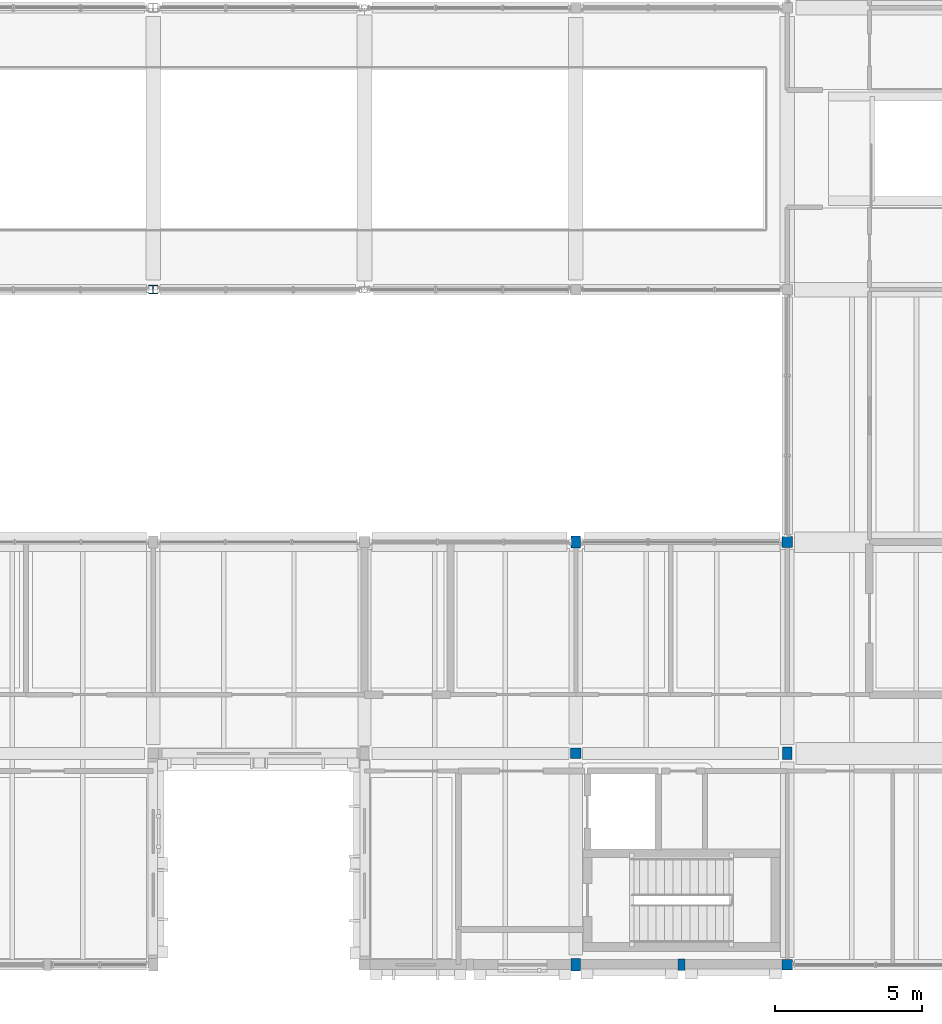
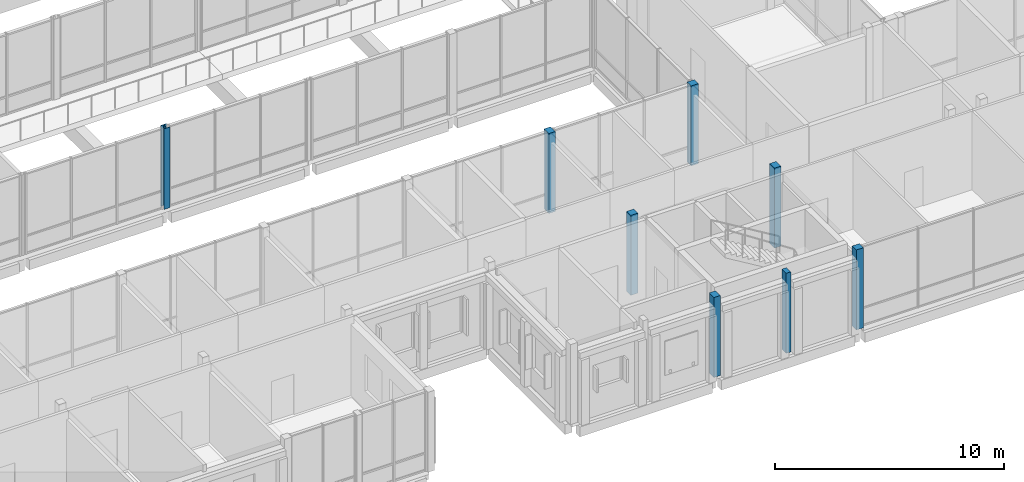
# One storey, part 3 of 146: 8 columns.
"""IFC4 building model written with IfcOpenShell, lengths in metres."""

from ifc_helpers import new_model, si_unit, direction, frame, origin, origin_2d, place, context, subcontext, project, spatial, rectangle, i_section, extrude, material, material_profile, profile_set, type_object, element, save


model = new_model("IFC4")

# Units and contexts
model_context = context("Model", 3, precision=1e-05, world=origin(), true_north=direction((0.0, 1.0)))
body_context = subcontext(model_context, "Body", "Model", "MODEL_VIEW")
ifc_project = project(units=[si_unit("LENGTHUNIT", "METRE"), si_unit("AREAUNIT", "SQUARE_METRE"), si_unit("VOLUMEUNIT", "CUBIC_METRE"), si_unit("PLANEANGLEUNIT", "RADIAN"), si_unit("MASSUNIT", "GRAM", prefix="KILO")], contexts=[model_context])

# Site, building, storey
site_placement = place(None, origin())
site = spatial("IfcSite", under=ifc_project, at=site_placement, CompositionType="ELEMENT")
building_placement = place(site_placement, origin())
building = spatial("IfcBuilding", under=site, at=building_placement, Name="Hawrajan Terrace Health Centre", CompositionType="ELEMENT")
storey_placement = place(building_placement, frame((0.0, 0.0, 4.5)))
storey = spatial("IfcBuildingStorey", under=building, at=storey_placement, Name="L01", CompositionType="ELEMENT", Elevation=4.5)

# Columns
ifc_material_1 = material(Name="Glulam GL32h", Category="wood")
ifc_material_profile_1 = material_profile(ifc_material_1, rectangle(XDim=0.320068359375, YDim=0.419921875, at=origin_2d()), Name="GL 320x420")
ifc_profile_set_1 = profile_set([ifc_material_profile_1], Name="Glulam GL32h")
column_type_1 = type_object("IfcColumnType", Name="GlulamCol_320x420", PredefinedType="COLUMN", material=ifc_profile_set_1)
for number, where, z_axis, x_axis, name in (
    (1, (55.0, 4.199951171875, 0.0), (0.0, 0.0, 1.0), (1.0, 0.0, 0.0), "Column COL-L01-W-X08-Y1"),
    (2, (55.0, 18.60009765625, 0.0), (0.0, 0.0, 1.0), (1.0, 0.0, 0.0), "Column COL-L01-W-X08-Y3"),
    (3, (62.199951171875, 11.39990234375, 0.0), (0.0, 0.0, 1.0), (1.0, 0.0, 0.0), "Column COL-L01-W-X09-Y2"),
):
    element("IfcColumn", number, at=place(storey_placement, frame(where, z_axis=z_axis, x_axis=x_axis)), inside=storey, type_object=column_type_1, Name=name, PredefinedType="COLUMN", context=body_context, shape_type="SweptSolid", body=[
        extrude(rectangle(XDim=0.320068359375, YDim=0.419921875, at=origin_2d()), origin(), (0.0, 0.0, 1.0), 4.260009765625),
    ])
ifc_material_profile_2 = material_profile(ifc_material_1, rectangle(XDim=0.360107421875, YDim=0.360107421875, at=origin_2d()), Name="GL 360x360")
ifc_profile_set_2 = profile_set([ifc_material_profile_2], Name="Glulam GL32h")
column_type_2 = type_object("IfcColumnType", Name="GlulamCol_360x360", PredefinedType="COLUMN", material=ifc_profile_set_2)
for number, where, z_axis, x_axis, name in (
    (4, (55.0, 11.39990234375, 0.0), (0.0, 0.0, 1.0), (1.0, 0.0, 0.0), "Column COL-L01-W-X08-Y2"),
    (5, (62.199951171875, 4.199951171875, 0.0), (0.0, 0.0, 1.0), (1.0, 0.0, 0.0), "Column COL-L01-W-X09-Y1"),
    (6, (62.199951171875, 18.60009765625, 0.0), (0.0, 0.0, 1.0), (1.0, 0.0, 0.0), "Column COL-L01-W-X09-Y3"),
):
    element("IfcColumn", number, at=place(storey_placement, frame(where, z_axis=z_axis, x_axis=x_axis)), inside=storey, type_object=column_type_2, Name=name, PredefinedType="COLUMN", context=body_context, shape_type="SweptSolid", body=[
        extrude(rectangle(XDim=0.360107421875, YDim=0.360107421875, at=origin_2d()), origin(), (0.0, 0.0, 1.0), 4.260009765625),
    ])
ifc_material_profile_3 = material_profile(ifc_material_1, rectangle(XDim=0.239990234375, YDim=0.3798828125, at=origin_2d()), Name="GL PIL 240x380")
ifc_profile_set_3 = profile_set([ifc_material_profile_3], Name="Glulam GL32h")
column_type_3 = type_object("IfcColumnType", Name="GlulamPilaster_240x380", PredefinedType="PILASTER", material=ifc_profile_set_3)
column_1_placement = place(storey_placement, frame((58.60009765625, 4.199951171875, 0.0), z_axis=(0.0, 0.0, 1.0), x_axis=(1.0, 0.0, 0.0)))
element("IfcColumn", 7, at=column_1_placement, inside=storey, type_object=column_type_3, Name="Art Deco fluted pilaster L01-08-Y1", PredefinedType="PILASTER", context=body_context, shape_type="SweptSolid", body=[
    extrude(rectangle(XDim=0.239990234375, YDim=0.3798828125, at=origin_2d()), origin(), (0.0, 0.0, 1.0), 4.260009765625),
])
ifc_material_2 = material(Name="Steel S355", Category="steel")
ifc_material_profile_4 = material_profile(ifc_material_2, i_section(OverallWidth=0.300048828125, OverallDepth=0.300048828125, WebThickness=0.010986328125, FlangeThickness=0.01904296875, FilletRadius=0.027099609375, at=origin_2d()), Name="HEB 300")
ifc_profile_set_4 = profile_set([ifc_material_profile_4], Name="Steel S355")
column_type_4 = type_object("IfcColumnType", Name="SteelCol_HEB300", PredefinedType="COLUMN", material=ifc_profile_set_4)
column_2_placement = place(storey_placement, frame((40.60009765625, 27.199951171875, 0.0), z_axis=(0.0, 0.0, 1.0), x_axis=(1.0, 0.0, 0.0)))
element("IfcColumn", 8, at=column_2_placement, inside=storey, type_object=column_type_4, Name="Column COL-L01-W-X06-Y4", PredefinedType="COLUMN", context=body_context, shape_type="SweptSolid", body=[
    extrude(i_section(OverallWidth=0.300048828125, OverallDepth=0.300048828125, WebThickness=0.010986328125, FlangeThickness=0.01904296875, FilletRadius=0.027099609375, at=origin_2d()), origin(), (0.0, 0.0, 1.0), 4.300048828125),
])

save(model, "model.ifc")
